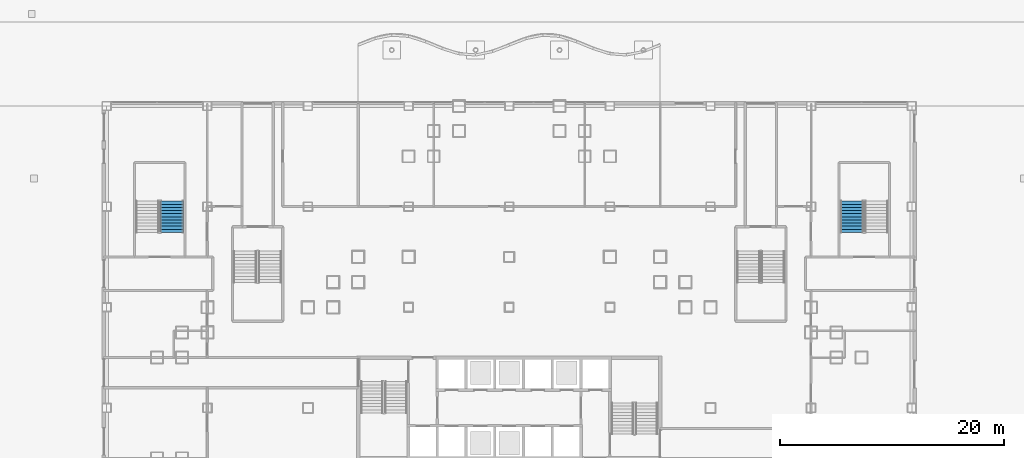
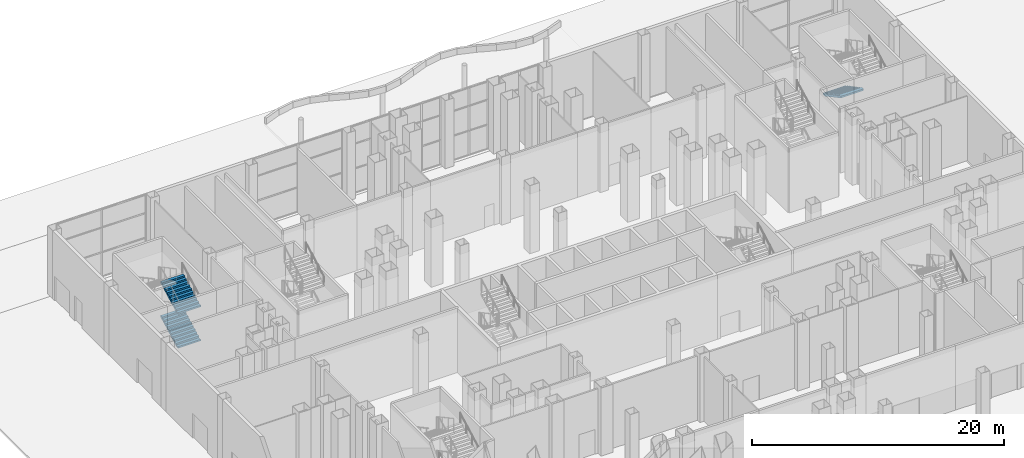
# One storey, part 28 of 38: 3 stair flights, 2 elements without a shape of their own.
"""IFC4 building model written with IfcOpenShell, lengths in metres."""

import ifcopenshell
import ifcopenshell.guid

model = None  # the IFC model being written
_history = None  # IfcOwnerHistory: only IFC2X3 demands one
_inside = {}  # id of a spatial element -> (the spatial element, [elements in it])
_under = {}  # id of a project, library or spatial element -> (it, [spatial elements below it])
_declared = {}  # id of a project -> (the project, [libraries it declares])
_typed = {}  # id of a type object -> (the type object, [elements of that type])
_made_of = {}  # id of a material, layer set ... -> (it, [elements and type objects made of it])


def new_model(schema):
    """Start an empty IFC model of exactly this schema.

    Asked for "IFC4X3", IfcOpenShell would pick the latest addendum, in which some entities
    have other attributes; the version numbers below select the first issue.
    IFC2X3 requires an IfcOwnerHistory on every rooted entity: one is made here for all.
    """
    global model, _history
    if schema == "IFC4X3":
        model = ifcopenshell.file(schema_version=(4, 3, 0, 0))
    else:
        model = ifcopenshell.file(schema=schema)
    _inside.clear()
    _under.clear()
    _declared.clear()
    _typed.clear()
    _made_of.clear()
    _history = None
    if model.schema == "IFC2X3":
        org = make("IfcOrganization", Name="unknown")
        user = make(
            "IfcPersonAndOrganization",
            ThePerson=make("IfcPerson", FamilyName="unknown"),
            TheOrganization=org,
        )
        app = make(
            "IfcApplication",
            ApplicationDeveloper=org,
            Version="unknown",
            ApplicationFullName="unknown",
            ApplicationIdentifier="unknown",
        )
        _history = make(
            "IfcOwnerHistory",
            OwningUser=user,
            OwningApplication=app,
            ChangeAction="ADDED",
            CreationDate=0,
        )
    return model


def make(cls, **values):
    """One entity of the class cls with the attributes given. An attribute that is None is left unset."""
    return model.create_entity(
        cls, **{name: value for name, value in values.items() if value is not None}
    )


def rooted(cls, **values):
    """An entity with a GlobalId (a new one), such as an element, a storey or a relation."""
    return make(cls, GlobalId=ifcopenshell.guid.new(), OwnerHistory=_history, **values)


def si_unit(unit_type, name, prefix=None):
    """IfcSIUnit, for example si_unit("LENGTHUNIT", "METRE", prefix="MILLI")."""
    return make("IfcSIUnit", UnitType=unit_type, Prefix=prefix, Name=name)


def assignment(units):
    """IfcUnitAssignment: the units of a project."""
    return None if units is None else make("IfcUnitAssignment", Units=units)


def point(xyz):
    """IfcCartesianPoint."""
    return None if xyz is None else make("IfcCartesianPoint", Coordinates=xyz)


def direction(xyz):
    """IfcDirection."""
    return None if xyz is None else make("IfcDirection", DirectionRatios=xyz)


def frame(location, z_axis=None, x_axis=None):
    """IfcAxis2Placement3D, a coordinate frame: its origin and axes. An axis left out is left unset."""
    return make(
        "IfcAxis2Placement3D",
        Location=point(location),
        Axis=direction(z_axis),
        RefDirection=direction(x_axis),
    )


def origin():
    """The frame at (0, 0, 0) with its axes left unset."""
    return frame((0.0, 0.0, 0.0))


def place(relative_to, where):
    """IfcLocalPlacement: puts the frame where relative to a parent placement (None: the world)."""
    return make(
        "IfcLocalPlacement", PlacementRelTo=relative_to, RelativePlacement=where
    )


def context(
    kind, dimensions, precision=None, world=None, true_north=None, identifier=None
):
    """IfcGeometricRepresentationContext, for example the 3D "Model" context."""
    return make(
        "IfcGeometricRepresentationContext",
        ContextIdentifier=identifier,
        ContextType=kind,
        CoordinateSpaceDimension=dimensions,
        Precision=precision,
        WorldCoordinateSystem=world,
        TrueNorth=true_north,
    )


def subcontext(parent, identifier, kind, view, scale=None):
    """IfcGeometricRepresentationSubContext, for example "Body" below "Model"."""
    return make(
        "IfcGeometricRepresentationSubContext",
        ContextIdentifier=identifier,
        ContextType=kind,
        ParentContext=parent,
        TargetScale=scale,
        TargetView=view,
    )


def project(units=None, contexts=None):
    """IfcProject with its units and contexts."""
    return rooted(
        "IfcProject",
        Name="project",
        RepresentationContexts=contexts,
        UnitsInContext=assignment(units),
    )


def spatial(cls, under=None, at=None, **own):
    """A site, building, storey or space (cls), placed at a placement, below another one or the project."""
    s = rooted(cls, ObjectPlacement=at, **own)
    if under is not None:
        _under.setdefault(under.id(), (under, []))[1].append(s)
    return s


def point_list(points):
    """IfcCartesianPointList2D or 3D."""
    cls = (
        "IfcCartesianPointList2D" if len(points[0]) == 2 else "IfcCartesianPointList3D"
    )
    return make(cls, CoordList=points)


def polygons(points, faces, closed=None, point_numbers=None):
    """IfcPolygonalFaceSet: a face is its outer loop, then its inner loops; points numbered from 1."""
    made = []
    for loops in faces:
        if len(loops) == 1:
            made.append(make("IfcIndexedPolygonalFace", CoordIndex=loops[0]))
        else:
            made.append(
                make(
                    "IfcIndexedPolygonalFaceWithVoids",
                    CoordIndex=loops[0],
                    InnerCoordIndices=loops[1:],
                )
            )
    return make(
        "IfcPolygonalFaceSet",
        Coordinates=point_list(points),
        Closed=closed,
        Faces=made,
        PnIndex=point_numbers,
    )


def shape(context_of_items, identifier, shape_type, items):
    """IfcShapeRepresentation: the items that make up one representation, for example the "Body"."""
    return make(
        "IfcShapeRepresentation",
        ContextOfItems=context_of_items,
        RepresentationIdentifier=identifier,
        RepresentationType=shape_type,
        Items=items,
    )


def material(Name=None, Category=None):
    """IfcMaterial."""
    return make("IfcMaterial", Name=Name, Category=Category)


def made_of(thing, what):
    """Note that an element or type object is made of a material, layer set ...; save() writes the relation."""
    if what is not None:
        _made_of.setdefault(what.id(), (what, []))[1].append(thing)
    return thing


def type_object(cls, material=None, **own):
    """A type object (cls), such as IfcWallType, which elements share."""
    return made_of(rooted(cls, **own), material)


def element(
    cls,
    number,
    at=None,
    inside=None,
    cuts=None,
    type_object=None,
    material=None,
    context=None,
    identifier="Body",
    shape_type=None,
    held_by="IfcProductDefinitionShape",
    body=None,
    shapes=None,
    **own,
):
    """One element of the class cls, such as IfcWall. Its Tag is "e" and its number.

    at: its placement. inside: the storey or other place that contains it. cuts: it is an
    opening in that element (IfcRelVoidsElement). A single representation is given by context,
    identifier, shape_type and body (its items); several are given by shapes. held_by: the class
    of the entity that holds the representations. save() writes the other relations.
    """
    e = rooted(cls, Tag="e%d" % number, ObjectPlacement=at, **own)
    if body is not None:
        shapes = [shape(context, identifier, shape_type, body)]
    if shapes is not None:
        e.Representation = make(held_by, Representations=shapes)
    if inside is not None:
        _inside.setdefault(inside.id(), (inside, []))[1].append(e)
    if cuts is not None:
        rooted(
            "IfcRelVoidsElement", RelatingBuildingElement=cuts, RelatedOpeningElement=e
        )
    if type_object is not None:
        _typed.setdefault(type_object.id(), (type_object, []))[1].append(e)
    return made_of(e, material)


def aggregate(whole, parts):
    """IfcRelAggregates: a whole, such as a stair, and the parts it consists of."""
    return rooted("IfcRelAggregates", RelatingObject=whole, RelatedObjects=parts)


def save(model, path):
    """Write the relations noted so far, then the file.

    IfcRelAggregates (storeys below a building ...), IfcRelContainedInSpatialStructure (elements
    in a storey), IfcRelDefinesByType, IfcRelAssociatesMaterial and IfcRelDeclares: one each for
    every whole, place, type object, material and project.
    """
    for whole, parts in _under.values():
        aggregate(whole, parts)
    for where, things in _inside.values():
        rooted(
            "IfcRelContainedInSpatialStructure",
            RelatedElements=things,
            RelatingStructure=where,
        )
    for kind, things in _typed.values():
        rooted("IfcRelDefinesByType", RelatedObjects=things, RelatingType=kind)
    for what, things in _made_of.values():
        rooted("IfcRelAssociatesMaterial", RelatedObjects=things, RelatingMaterial=what)
    for by, libraries in _declared.values():
        rooted("IfcRelDeclares", RelatingContext=by, RelatedDefinitions=libraries)
    model.write(path)


model = new_model("IFC4")

# Units and contexts
model_context = context("Model", 3, precision=1e-05, world=origin(), true_north=direction((0.0, 1.0)))
body_context = subcontext(model_context, "Body", "Model", "MODEL_VIEW")
ifc_project = project(units=[si_unit("LENGTHUNIT", "METRE"), si_unit("AREAUNIT", "SQUARE_METRE"), si_unit("VOLUMEUNIT", "CUBIC_METRE"), si_unit("PLANEANGLEUNIT", "RADIAN"), si_unit("MASSUNIT", "GRAM", prefix="KILO")], contexts=[model_context])

# Site, building, storey
site_placement = place(None, origin())
site = spatial("IfcSite", under=ifc_project, at=site_placement, CompositionType="ELEMENT")
building_placement = place(site_placement, origin())
building = spatial("IfcBuilding", under=site, at=building_placement, Name="Caravel Reach Hotel and Residences", CompositionType="ELEMENT")
storey_placement = place(building_placement, origin())
storey = spatial("IfcBuildingStorey", under=building, at=storey_placement, Name="L00", CompositionType="ELEMENT", Elevation=0.0)

# Stair, stair flights
ifc_material_1 = material(Name="Concrete C40", Category="concrete")
stair_type = type_object("IfcStairType", Name="Core stair", PredefinedType="HALF_TURN_STAIR", material=ifc_material_1)
stair_1_placement = place(storey_placement, origin())
stair_1 = element("IfcStair", 1, at=stair_1_placement, inside=storey, type_object=stair_type, Name="L00 Exit stair P5", PredefinedType="HALF_TURN_STAIR")
ifc_material_2 = material(Name="Concrete C40", Category="concrete")
stair_flight_type = type_object("IfcStairFlightType", Name="Core stair flight", PredefinedType="STRAIGHT", material=ifc_material_2)
stair_flight_1_placement = place(storey_placement, frame((1.360107421875, 42.68994140625, 0.0), z_axis=(0.0, 0.0, 1.0), x_axis=(0.0, 1.0, 0.0)))
stair_flight_1 = element("IfcStairFlight", 2, at=stair_flight_1_placement, type_object=stair_flight_type, Name="ST-P5 flight 1", NumberOfRisers=11, NumberOfTreads=10, PredefinedType="STRAIGHT", RiserHeight=0.15, TreadLength=0.28, context=body_context, shape_type="Tessellation", body=[
    polygons([(0.3174408016601862, 1.0350341796875, 0.0), (0.3174408016601862, 0.6900227864583333, 0.0), (0.3174408016601862, 0.34501139322916663, 0.0), (0.3174408016601862, 0.0, 0.0), (0.3174408016601862, -0.34501139322916674, 0.0), (0.3174408016601862, -0.6900227864583333, 0.0), (0.3174408016601862, -1.0350341796875, 0.0), (2.801, 1.0350341796875, 1.329942427682043), (2.801, 0.6900227864583333, 1.329942427682043), (2.801, 0.34501139322916663, 1.329942427682043), (2.801, 0.0, 1.329942427682043), (2.801, -0.34501139322916674, 1.329942427682043), (2.801, -0.6900227864583333, 1.329942427682043), (2.801, -1.0350341796875, 1.329942427682043), (2.801, 1.0350341796875, 1.5), (2.801, 0.6900227864583333, 1.5), (2.801, 0.34501139322916663, 1.5), (2.801, 0.0, 1.5), (2.801, -0.34501139322916674, 1.5), (2.801, -0.6900227864583333, 1.5), (2.801, -1.0350341796875, 1.5), (2.5200000000000005, 1.0350341796875, 1.5), (2.5200000000000005, 0.6900227864583333, 1.5), (2.5200000000000005, 0.34501139322916663, 1.5), (2.5200000000000005, 0.0, 1.5), (2.5200000000000005, -0.34501139322916674, 1.5), (2.5200000000000005, -0.6900227864583333, 1.5), (2.5200000000000005, -1.0350341796875, 1.5), (2.5200000000000005, 1.0350341796875, 1.3499999999999999), (2.5200000000000005, 0.6900227864583333, 1.3499999999999999), (2.5200000000000005, 0.34501139322916663, 1.3499999999999999), (2.5200000000000005, 0.0, 1.3499999999999999), (2.5200000000000005, -0.34501139322916674, 1.3499999999999999), (2.5200000000000005, -0.6900227864583333, 1.3499999999999999), (2.5200000000000005, -1.0350341796875, 1.3499999999999999), (2.24, 1.0350341796875, 1.3499999999999999), (2.24, 0.6900227864583333, 1.3499999999999999), (2.24, 0.34501139322916663, 1.3499999999999999), (2.24, 0.0, 1.3499999999999999), (2.24, -0.34501139322916674, 1.3499999999999999), (2.24, -0.6900227864583333, 1.3499999999999999), (2.24, -1.0350341796875, 1.3499999999999999), (2.24, 1.0350341796875, 1.2), (2.24, 0.6900227864583333, 1.2), (2.24, 0.34501139322916663, 1.2), (2.24, 0.0, 1.2), (2.24, -0.34501139322916674, 1.2), (2.24, -0.6900227864583333, 1.2), (2.24, -1.0350341796875, 1.2), (1.9600000000000002, 1.0350341796875, 1.2), (1.9600000000000002, 0.6900227864583333, 1.2), (1.9600000000000002, 0.34501139322916663, 1.2), (1.9600000000000002, 0.0, 1.2), (1.9600000000000002, -0.34501139322916674, 1.2), (1.9600000000000002, -0.6900227864583333, 1.2), (1.9600000000000002, -1.0350341796875, 1.2), (1.9600000000000002, 1.0350341796875, 1.05), (1.9600000000000002, 0.6900227864583333, 1.05), (1.9600000000000002, 0.34501139322916663, 1.05), (1.9600000000000002, 0.0, 1.05), (1.9600000000000002, -0.34501139322916674, 1.05), (1.9600000000000002, -0.6900227864583333, 1.05), (1.9600000000000002, -1.0350341796875, 1.05), (1.6800000000000002, 1.0350341796875, 1.05), (1.6800000000000002, 0.6900227864583333, 1.05), (1.6800000000000002, 0.34501139322916663, 1.05), (1.6800000000000002, 0.0, 1.05), (1.6800000000000002, -0.34501139322916674, 1.05), (1.6800000000000002, -0.6900227864583333, 1.05), (1.6800000000000002, -1.0350341796875, 1.05), (1.6800000000000002, 1.0350341796875, 0.8999999999999999), (1.6800000000000002, 0.6900227864583333, 0.8999999999999999), (1.6800000000000002, 0.34501139322916663, 0.8999999999999999), (1.6800000000000002, 0.0, 0.8999999999999999), (1.6800000000000002, -0.34501139322916674, 0.8999999999999999), (1.6800000000000002, -0.6900227864583333, 0.8999999999999999), (1.6800000000000002, -1.0350341796875, 0.8999999999999999), (1.4000000000000001, 1.0350341796875, 0.8999999999999999), (1.4000000000000001, 0.6900227864583333, 0.8999999999999999), (1.4000000000000001, 0.34501139322916663, 0.8999999999999999), (1.4000000000000001, 0.0, 0.8999999999999999), (1.4000000000000001, -0.34501139322916674, 0.8999999999999999), (1.4000000000000001, -0.6900227864583333, 0.8999999999999999), (1.4000000000000001, -1.0350341796875, 0.8999999999999999), (1.4000000000000001, 1.0350341796875, 0.75), (1.4000000000000001, 0.6900227864583333, 0.75), (1.4000000000000001, 0.34501139322916663, 0.75), (1.4000000000000001, 0.0, 0.75), (1.4000000000000001, -0.34501139322916674, 0.75), (1.4000000000000001, -0.6900227864583333, 0.75), (1.4000000000000001, -1.0350341796875, 0.75), (1.12, 1.0350341796875, 0.75), (1.12, 0.6900227864583333, 0.75), (1.12, 0.34501139322916663, 0.75), (1.12, 0.0, 0.75), (1.12, -0.34501139322916674, 0.75), (1.12, -0.6900227864583333, 0.75), (1.12, -1.0350341796875, 0.75), (1.12, 1.0350341796875, 0.6), (1.12, 0.6900227864583333, 0.6), (1.12, 0.34501139322916663, 0.6), (1.12, 0.0, 0.6), (1.12, -0.34501139322916674, 0.6), (1.12, -0.6900227864583333, 0.6), (1.12, -1.0350341796875, 0.6), (0.8400000000000001, 1.0350341796875, 0.6), (0.8400000000000001, 0.6900227864583333, 0.6), (0.8400000000000001, 0.34501139322916663, 0.6), (0.8400000000000001, 0.0, 0.6), (0.8400000000000001, -0.34501139322916674, 0.6), (0.8400000000000001, -0.6900227864583333, 0.6), (0.8400000000000001, -1.0350341796875, 0.6), (0.8400000000000001, 1.0350341796875, 0.44999999999999996), (0.8400000000000001, 0.6900227864583333, 0.44999999999999996), (0.8400000000000001, 0.34501139322916663, 0.44999999999999996), (0.8400000000000001, 0.0, 0.44999999999999996), (0.8400000000000001, -0.34501139322916674, 0.44999999999999996), (0.8400000000000001, -0.6900227864583333, 0.44999999999999996), (0.8400000000000001, -1.0350341796875, 0.44999999999999996), (0.56, 1.0350341796875, 0.44999999999999996), (0.56, 0.6900227864583333, 0.44999999999999996), (0.56, 0.34501139322916663, 0.44999999999999996), (0.56, 0.0, 0.44999999999999996), (0.56, -0.34501139322916674, 0.44999999999999996), (0.56, -0.6900227864583333, 0.44999999999999996), (0.56, -1.0350341796875, 0.44999999999999996), (0.56, 1.0350341796875, 0.3), (0.56, 0.6900227864583333, 0.3), (0.56, 0.34501139322916663, 0.3), (0.56, 0.0, 0.3), (0.56, -0.34501139322916674, 0.3), (0.56, -0.6900227864583333, 0.3), (0.56, -1.0350341796875, 0.3), (0.28, 1.0350341796875, 0.3), (0.28, 0.6900227864583333, 0.3), (0.28, 0.34501139322916663, 0.3), (0.28, 0.0, 0.3), (0.28, -0.34501139322916674, 0.3), (0.28, -0.6900227864583333, 0.3), (0.28, -1.0350341796875, 0.3), (0.28, 1.0350341796875, 0.15), (0.28, 0.6900227864583333, 0.15), (0.28, 0.34501139322916663, 0.15), (0.28, 0.0, 0.15), (0.28, -0.34501139322916674, 0.15), (0.28, -0.6900227864583333, 0.15), (0.28, -1.0350341796875, 0.15), (-0.001, 1.0350341796875, 0.15), (-0.001, 0.6900227864583333, 0.15), (-0.001, 0.34501139322916663, 0.15), (-0.001, 0.0, 0.15), (-0.001, -0.34501139322916674, 0.15), (-0.001, -0.6900227864583333, 0.15), (-0.001, -1.0350341796875, 0.15), (-0.001, 1.0350341796875, 0.0), (-0.001, 0.6900227864583333, 0.0), (-0.001, 0.34501139322916663, 0.0), (-0.001, 0.0, 0.0), (-0.001, -0.34501139322916674, 0.0), (-0.001, -0.6900227864583333, 0.0), (-0.001, -1.0350341796875, 0.0)], [[[155, 148, 141, 134, 127, 120, 113, 106, 99, 92, 85, 78, 71, 64, 57, 50, 43, 36, 29, 22, 15, 8, 1]], [[7, 14, 21, 28, 35, 42, 49, 56, 63, 70, 77, 84, 91, 98, 105, 112, 119, 126, 133, 140, 147, 154, 161]], [[1, 8, 9, 2]], [[2, 9, 10, 3]], [[3, 10, 11, 4]], [[4, 11, 12, 5]], [[5, 12, 13, 6]], [[6, 13, 14, 7]], [[8, 15, 16, 9]], [[9, 16, 17, 10]], [[10, 17, 18, 11]], [[11, 18, 19, 12]], [[12, 19, 20, 13]], [[13, 20, 21, 14]], [[15, 22, 23, 16]], [[16, 23, 24, 17]], [[17, 24, 25, 18]], [[18, 25, 26, 19]], [[19, 26, 27, 20]], [[20, 27, 28, 21]], [[22, 29, 30, 23]], [[23, 30, 31, 24]], [[24, 31, 32, 25]], [[25, 32, 33, 26]], [[26, 33, 34, 27]], [[27, 34, 35, 28]], [[29, 36, 37, 30]], [[30, 37, 38, 31]], [[31, 38, 39, 32]], [[32, 39, 40, 33]], [[33, 40, 41, 34]], [[34, 41, 42, 35]], [[36, 43, 44, 37]], [[37, 44, 45, 38]], [[38, 45, 46, 39]], [[39, 46, 47, 40]], [[40, 47, 48, 41]], [[41, 48, 49, 42]], [[43, 50, 51, 44]], [[44, 51, 52, 45]], [[45, 52, 53, 46]], [[46, 53, 54, 47]], [[47, 54, 55, 48]], [[48, 55, 56, 49]], [[50, 57, 58, 51]], [[51, 58, 59, 52]], [[52, 59, 60, 53]], [[53, 60, 61, 54]], [[54, 61, 62, 55]], [[55, 62, 63, 56]], [[57, 64, 65, 58]], [[58, 65, 66, 59]], [[59, 66, 67, 60]], [[60, 67, 68, 61]], [[61, 68, 69, 62]], [[62, 69, 70, 63]], [[64, 71, 72, 65]], [[65, 72, 73, 66]], [[66, 73, 74, 67]], [[67, 74, 75, 68]], [[68, 75, 76, 69]], [[69, 76, 77, 70]], [[71, 78, 79, 72]], [[72, 79, 80, 73]], [[73, 80, 81, 74]], [[74, 81, 82, 75]], [[75, 82, 83, 76]], [[76, 83, 84, 77]], [[78, 85, 86, 79]], [[79, 86, 87, 80]], [[80, 87, 88, 81]], [[81, 88, 89, 82]], [[82, 89, 90, 83]], [[83, 90, 91, 84]], [[85, 92, 93, 86]], [[86, 93, 94, 87]], [[87, 94, 95, 88]], [[88, 95, 96, 89]], [[89, 96, 97, 90]], [[90, 97, 98, 91]], [[92, 99, 100, 93]], [[93, 100, 101, 94]], [[94, 101, 102, 95]], [[95, 102, 103, 96]], [[96, 103, 104, 97]], [[97, 104, 105, 98]], [[99, 106, 107, 100]], [[100, 107, 108, 101]], [[101, 108, 109, 102]], [[102, 109, 110, 103]], [[103, 110, 111, 104]], [[104, 111, 112, 105]], [[106, 113, 114, 107]], [[107, 114, 115, 108]], [[108, 115, 116, 109]], [[109, 116, 117, 110]], [[110, 117, 118, 111]], [[111, 118, 119, 112]], [[113, 120, 121, 114]], [[114, 121, 122, 115]], [[115, 122, 123, 116]], [[116, 123, 124, 117]], [[117, 124, 125, 118]], [[118, 125, 126, 119]], [[120, 127, 128, 121]], [[121, 128, 129, 122]], [[122, 129, 130, 123]], [[123, 130, 131, 124]], [[124, 131, 132, 125]], [[125, 132, 133, 126]], [[127, 134, 135, 128]], [[128, 135, 136, 129]], [[129, 136, 137, 130]], [[130, 137, 138, 131]], [[131, 138, 139, 132]], [[132, 139, 140, 133]], [[134, 141, 142, 135]], [[135, 142, 143, 136]], [[136, 143, 144, 137]], [[137, 144, 145, 138]], [[138, 145, 146, 139]], [[139, 146, 147, 140]], [[141, 148, 149, 142]], [[142, 149, 150, 143]], [[143, 150, 151, 144]], [[144, 151, 152, 145]], [[145, 152, 153, 146]], [[146, 153, 154, 147]], [[148, 155, 156, 149]], [[149, 156, 157, 150]], [[150, 157, 158, 151]], [[151, 158, 159, 152]], [[152, 159, 160, 153]], [[153, 160, 161, 154]], [[155, 1, 2, 156]], [[156, 2, 3, 157]], [[157, 3, 4, 158]], [[158, 4, 5, 159]], [[159, 5, 6, 160]], [[160, 6, 7, 161]]], closed=True),
])
stair_flight_2_placement = place(storey_placement, frame((1.360107421875, 42.68994140625, 3.300048828125), z_axis=(0.0, 0.0, 1.0), x_axis=(0.0, 1.0, 0.0)))
stair_flight_2 = element("IfcStairFlight", 3, at=stair_flight_2_placement, type_object=stair_flight_type, Name="ST-P5 flight 3", NumberOfRisers=11, NumberOfTreads=10, PredefinedType="STRAIGHT", RiserHeight=0.15, TreadLength=0.28, context=body_context, shape_type="Tessellation", body=[
    polygons([(0.3174408016601862, 1.0350341796875, 0.0), (0.3174408016601862, 0.6900227864583333, 0.0), (0.3174408016601862, 0.34501139322916663, 0.0), (0.3174408016601862, 0.0, 0.0), (0.3174408016601862, -0.34501139322916674, 0.0), (0.3174408016601862, -0.6900227864583333, 0.0), (0.3174408016601862, -1.0350341796875, 0.0), (2.801, 1.0350341796875, 1.329942427682043), (2.801, 0.6900227864583333, 1.329942427682043), (2.801, 0.34501139322916663, 1.329942427682043), (2.801, 0.0, 1.329942427682043), (2.801, -0.34501139322916674, 1.329942427682043), (2.801, -0.6900227864583333, 1.329942427682043), (2.801, -1.0350341796875, 1.329942427682043), (2.801, 1.0350341796875, 1.5), (2.801, 0.6900227864583333, 1.5), (2.801, 0.34501139322916663, 1.5), (2.801, 0.0, 1.5), (2.801, -0.34501139322916674, 1.5), (2.801, -0.6900227864583333, 1.5), (2.801, -1.0350341796875, 1.5), (2.5200000000000005, 1.0350341796875, 1.5), (2.5200000000000005, 0.6900227864583333, 1.5), (2.5200000000000005, 0.34501139322916663, 1.5), (2.5200000000000005, 0.0, 1.5), (2.5200000000000005, -0.34501139322916674, 1.5), (2.5200000000000005, -0.6900227864583333, 1.5), (2.5200000000000005, -1.0350341796875, 1.5), (2.5200000000000005, 1.0350341796875, 1.3499999999999999), (2.5200000000000005, 0.6900227864583333, 1.3499999999999999), (2.5200000000000005, 0.34501139322916663, 1.3499999999999999), (2.5200000000000005, 0.0, 1.3499999999999999), (2.5200000000000005, -0.34501139322916674, 1.3499999999999999), (2.5200000000000005, -0.6900227864583333, 1.3499999999999999), (2.5200000000000005, -1.0350341796875, 1.3499999999999999), (2.24, 1.0350341796875, 1.3499999999999999), (2.24, 0.6900227864583333, 1.3499999999999999), (2.24, 0.34501139322916663, 1.3499999999999999), (2.24, 0.0, 1.3499999999999999), (2.24, -0.34501139322916674, 1.3499999999999999), (2.24, -0.6900227864583333, 1.3499999999999999), (2.24, -1.0350341796875, 1.3499999999999999), (2.24, 1.0350341796875, 1.2), (2.24, 0.6900227864583333, 1.2), (2.24, 0.34501139322916663, 1.2), (2.24, 0.0, 1.2), (2.24, -0.34501139322916674, 1.2), (2.24, -0.6900227864583333, 1.2), (2.24, -1.0350341796875, 1.2), (1.9600000000000002, 1.0350341796875, 1.2), (1.9600000000000002, 0.6900227864583333, 1.2), (1.9600000000000002, 0.34501139322916663, 1.2), (1.9600000000000002, 0.0, 1.2), (1.9600000000000002, -0.34501139322916674, 1.2), (1.9600000000000002, -0.6900227864583333, 1.2), (1.9600000000000002, -1.0350341796875, 1.2), (1.9600000000000002, 1.0350341796875, 1.05), (1.9600000000000002, 0.6900227864583333, 1.05), (1.9600000000000002, 0.34501139322916663, 1.05), (1.9600000000000002, 0.0, 1.05), (1.9600000000000002, -0.34501139322916674, 1.05), (1.9600000000000002, -0.6900227864583333, 1.05), (1.9600000000000002, -1.0350341796875, 1.05), (1.6800000000000002, 1.0350341796875, 1.05), (1.6800000000000002, 0.6900227864583333, 1.05), (1.6800000000000002, 0.34501139322916663, 1.05), (1.6800000000000002, 0.0, 1.05), (1.6800000000000002, -0.34501139322916674, 1.05), (1.6800000000000002, -0.6900227864583333, 1.05), (1.6800000000000002, -1.0350341796875, 1.05), (1.6800000000000002, 1.0350341796875, 0.8999999999999999), (1.6800000000000002, 0.6900227864583333, 0.8999999999999999), (1.6800000000000002, 0.34501139322916663, 0.8999999999999999), (1.6800000000000002, 0.0, 0.8999999999999999), (1.6800000000000002, -0.34501139322916674, 0.8999999999999999), (1.6800000000000002, -0.6900227864583333, 0.8999999999999999), (1.6800000000000002, -1.0350341796875, 0.8999999999999999), (1.4000000000000001, 1.0350341796875, 0.8999999999999999), (1.4000000000000001, 0.6900227864583333, 0.8999999999999999), (1.4000000000000001, 0.34501139322916663, 0.8999999999999999), (1.4000000000000001, 0.0, 0.8999999999999999), (1.4000000000000001, -0.34501139322916674, 0.8999999999999999), (1.4000000000000001, -0.6900227864583333, 0.8999999999999999), (1.4000000000000001, -1.0350341796875, 0.8999999999999999), (1.4000000000000001, 1.0350341796875, 0.75), (1.4000000000000001, 0.6900227864583333, 0.75), (1.4000000000000001, 0.34501139322916663, 0.75), (1.4000000000000001, 0.0, 0.75), (1.4000000000000001, -0.34501139322916674, 0.75), (1.4000000000000001, -0.6900227864583333, 0.75), (1.4000000000000001, -1.0350341796875, 0.75), (1.12, 1.0350341796875, 0.75), (1.12, 0.6900227864583333, 0.75), (1.12, 0.34501139322916663, 0.75), (1.12, 0.0, 0.75), (1.12, -0.34501139322916674, 0.75), (1.12, -0.6900227864583333, 0.75), (1.12, -1.0350341796875, 0.75), (1.12, 1.0350341796875, 0.6), (1.12, 0.6900227864583333, 0.6), (1.12, 0.34501139322916663, 0.6), (1.12, 0.0, 0.6), (1.12, -0.34501139322916674, 0.6), (1.12, -0.6900227864583333, 0.6), (1.12, -1.0350341796875, 0.6), (0.8400000000000001, 1.0350341796875, 0.6), (0.8400000000000001, 0.6900227864583333, 0.6), (0.8400000000000001, 0.34501139322916663, 0.6), (0.8400000000000001, 0.0, 0.6), (0.8400000000000001, -0.34501139322916674, 0.6), (0.8400000000000001, -0.6900227864583333, 0.6), (0.8400000000000001, -1.0350341796875, 0.6), (0.8400000000000001, 1.0350341796875, 0.44999999999999996), (0.8400000000000001, 0.6900227864583333, 0.44999999999999996), (0.8400000000000001, 0.34501139322916663, 0.44999999999999996), (0.8400000000000001, 0.0, 0.44999999999999996), (0.8400000000000001, -0.34501139322916674, 0.44999999999999996), (0.8400000000000001, -0.6900227864583333, 0.44999999999999996), (0.8400000000000001, -1.0350341796875, 0.44999999999999996), (0.56, 1.0350341796875, 0.44999999999999996), (0.56, 0.6900227864583333, 0.44999999999999996), (0.56, 0.34501139322916663, 0.44999999999999996), (0.56, 0.0, 0.44999999999999996), (0.56, -0.34501139322916674, 0.44999999999999996), (0.56, -0.6900227864583333, 0.44999999999999996), (0.56, -1.0350341796875, 0.44999999999999996), (0.56, 1.0350341796875, 0.3), (0.56, 0.6900227864583333, 0.3), (0.56, 0.34501139322916663, 0.3), (0.56, 0.0, 0.3), (0.56, -0.34501139322916674, 0.3), (0.56, -0.6900227864583333, 0.3), (0.56, -1.0350341796875, 0.3), (0.28, 1.0350341796875, 0.3), (0.28, 0.6900227864583333, 0.3), (0.28, 0.34501139322916663, 0.3), (0.28, 0.0, 0.3), (0.28, -0.34501139322916674, 0.3), (0.28, -0.6900227864583333, 0.3), (0.28, -1.0350341796875, 0.3), (0.28, 1.0350341796875, 0.15), (0.28, 0.6900227864583333, 0.15), (0.28, 0.34501139322916663, 0.15), (0.28, 0.0, 0.15), (0.28, -0.34501139322916674, 0.15), (0.28, -0.6900227864583333, 0.15), (0.28, -1.0350341796875, 0.15), (-0.001, 1.0350341796875, 0.15), (-0.001, 0.6900227864583333, 0.15), (-0.001, 0.34501139322916663, 0.15), (-0.001, 0.0, 0.15), (-0.001, -0.34501139322916674, 0.15), (-0.001, -0.6900227864583333, 0.15), (-0.001, -1.0350341796875, 0.15), (-0.001, 1.0350341796875, 0.0), (-0.001, 0.6900227864583333, 0.0), (-0.001, 0.34501139322916663, 0.0), (-0.001, 0.0, 0.0), (-0.001, -0.34501139322916674, 0.0), (-0.001, -0.6900227864583333, 0.0), (-0.001, -1.0350341796875, 0.0)], [[[155, 148, 141, 134, 127, 120, 113, 106, 99, 92, 85, 78, 71, 64, 57, 50, 43, 36, 29, 22, 15, 8, 1]], [[7, 14, 21, 28, 35, 42, 49, 56, 63, 70, 77, 84, 91, 98, 105, 112, 119, 126, 133, 140, 147, 154, 161]], [[1, 8, 9, 2]], [[2, 9, 10, 3]], [[3, 10, 11, 4]], [[4, 11, 12, 5]], [[5, 12, 13, 6]], [[6, 13, 14, 7]], [[8, 15, 16, 9]], [[9, 16, 17, 10]], [[10, 17, 18, 11]], [[11, 18, 19, 12]], [[12, 19, 20, 13]], [[13, 20, 21, 14]], [[15, 22, 23, 16]], [[16, 23, 24, 17]], [[17, 24, 25, 18]], [[18, 25, 26, 19]], [[19, 26, 27, 20]], [[20, 27, 28, 21]], [[22, 29, 30, 23]], [[23, 30, 31, 24]], [[24, 31, 32, 25]], [[25, 32, 33, 26]], [[26, 33, 34, 27]], [[27, 34, 35, 28]], [[29, 36, 37, 30]], [[30, 37, 38, 31]], [[31, 38, 39, 32]], [[32, 39, 40, 33]], [[33, 40, 41, 34]], [[34, 41, 42, 35]], [[36, 43, 44, 37]], [[37, 44, 45, 38]], [[38, 45, 46, 39]], [[39, 46, 47, 40]], [[40, 47, 48, 41]], [[41, 48, 49, 42]], [[43, 50, 51, 44]], [[44, 51, 52, 45]], [[45, 52, 53, 46]], [[46, 53, 54, 47]], [[47, 54, 55, 48]], [[48, 55, 56, 49]], [[50, 57, 58, 51]], [[51, 58, 59, 52]], [[52, 59, 60, 53]], [[53, 60, 61, 54]], [[54, 61, 62, 55]], [[55, 62, 63, 56]], [[57, 64, 65, 58]], [[58, 65, 66, 59]], [[59, 66, 67, 60]], [[60, 67, 68, 61]], [[61, 68, 69, 62]], [[62, 69, 70, 63]], [[64, 71, 72, 65]], [[65, 72, 73, 66]], [[66, 73, 74, 67]], [[67, 74, 75, 68]], [[68, 75, 76, 69]], [[69, 76, 77, 70]], [[71, 78, 79, 72]], [[72, 79, 80, 73]], [[73, 80, 81, 74]], [[74, 81, 82, 75]], [[75, 82, 83, 76]], [[76, 83, 84, 77]], [[78, 85, 86, 79]], [[79, 86, 87, 80]], [[80, 87, 88, 81]], [[81, 88, 89, 82]], [[82, 89, 90, 83]], [[83, 90, 91, 84]], [[85, 92, 93, 86]], [[86, 93, 94, 87]], [[87, 94, 95, 88]], [[88, 95, 96, 89]], [[89, 96, 97, 90]], [[90, 97, 98, 91]], [[92, 99, 100, 93]], [[93, 100, 101, 94]], [[94, 101, 102, 95]], [[95, 102, 103, 96]], [[96, 103, 104, 97]], [[97, 104, 105, 98]], [[99, 106, 107, 100]], [[100, 107, 108, 101]], [[101, 108, 109, 102]], [[102, 109, 110, 103]], [[103, 110, 111, 104]], [[104, 111, 112, 105]], [[106, 113, 114, 107]], [[107, 114, 115, 108]], [[108, 115, 116, 109]], [[109, 116, 117, 110]], [[110, 117, 118, 111]], [[111, 118, 119, 112]], [[113, 120, 121, 114]], [[114, 121, 122, 115]], [[115, 122, 123, 116]], [[116, 123, 124, 117]], [[117, 124, 125, 118]], [[118, 125, 126, 119]], [[120, 127, 128, 121]], [[121, 128, 129, 122]], [[122, 129, 130, 123]], [[123, 130, 131, 124]], [[124, 131, 132, 125]], [[125, 132, 133, 126]], [[127, 134, 135, 128]], [[128, 135, 136, 129]], [[129, 136, 137, 130]], [[130, 137, 138, 131]], [[131, 138, 139, 132]], [[132, 139, 140, 133]], [[134, 141, 142, 135]], [[135, 142, 143, 136]], [[136, 143, 144, 137]], [[137, 144, 145, 138]], [[138, 145, 146, 139]], [[139, 146, 147, 140]], [[141, 148, 149, 142]], [[142, 149, 150, 143]], [[143, 150, 151, 144]], [[144, 151, 152, 145]], [[145, 152, 153, 146]], [[146, 153, 154, 147]], [[148, 155, 156, 149]], [[149, 156, 157, 150]], [[150, 157, 158, 151]], [[151, 158, 159, 152]], [[152, 159, 160, 153]], [[153, 160, 161, 154]], [[155, 1, 2, 156]], [[156, 2, 3, 157]], [[157, 3, 4, 158]], [[158, 4, 5, 159]], [[159, 5, 6, 160]], [[160, 6, 7, 161]]], closed=True),
])
aggregate(stair_1, [stair_flight_1, stair_flight_2])

# Stair, stair flight
stair_2_placement = place(storey_placement, origin())
stair_2 = element("IfcStair", 4, at=stair_2_placement, inside=storey, type_object=stair_type, Name="L00 Exit stair P6", PredefinedType="HALF_TURN_STAIR")
stair_flight_3_placement = place(storey_placement, frame((62.139892578125, 45.489990234375, 1.64990234375), z_axis=(0.0, 0.0, 1.0), x_axis=(0.0, -1.0, 0.0)))
stair_flight_3 = element("IfcStairFlight", 5, at=stair_flight_3_placement, type_object=stair_flight_type, Name="ST-P6 flight 2", NumberOfRisers=11, NumberOfTreads=10, PredefinedType="STRAIGHT", RiserHeight=0.15, TreadLength=0.28, context=body_context, shape_type="Tessellation", body=[
    polygons([(0.3174408016601862, 1.0350341796875, 0.0), (0.3174408016601862, 0.6900227864583333, 0.0), (0.3174408016601862, 0.34501139322916663, 0.0), (0.3174408016601862, 0.0, 0.0), (0.3174408016601862, -0.34501139322916674, 0.0), (0.3174408016601862, -0.6900227864583333, 0.0), (0.3174408016601862, -1.0350341796875, 0.0), (2.801, 1.0350341796875, 1.329942427682043), (2.801, 0.6900227864583333, 1.329942427682043), (2.801, 0.34501139322916663, 1.329942427682043), (2.801, 0.0, 1.329942427682043), (2.801, -0.34501139322916674, 1.329942427682043), (2.801, -0.6900227864583333, 1.329942427682043), (2.801, -1.0350341796875, 1.329942427682043), (2.801, 1.0350341796875, 1.5), (2.801, 0.6900227864583333, 1.5), (2.801, 0.34501139322916663, 1.5), (2.801, 0.0, 1.5), (2.801, -0.34501139322916674, 1.5), (2.801, -0.6900227864583333, 1.5), (2.801, -1.0350341796875, 1.5), (2.5200000000000005, 1.0350341796875, 1.5), (2.5200000000000005, 0.6900227864583333, 1.5), (2.5200000000000005, 0.34501139322916663, 1.5), (2.5200000000000005, 0.0, 1.5), (2.5200000000000005, -0.34501139322916674, 1.5), (2.5200000000000005, -0.6900227864583333, 1.5), (2.5200000000000005, -1.0350341796875, 1.5), (2.5200000000000005, 1.0350341796875, 1.3499999999999999), (2.5200000000000005, 0.6900227864583333, 1.3499999999999999), (2.5200000000000005, 0.34501139322916663, 1.3499999999999999), (2.5200000000000005, 0.0, 1.3499999999999999), (2.5200000000000005, -0.34501139322916674, 1.3499999999999999), (2.5200000000000005, -0.6900227864583333, 1.3499999999999999), (2.5200000000000005, -1.0350341796875, 1.3499999999999999), (2.24, 1.0350341796875, 1.3499999999999999), (2.24, 0.6900227864583333, 1.3499999999999999), (2.24, 0.34501139322916663, 1.3499999999999999), (2.24, 0.0, 1.3499999999999999), (2.24, -0.34501139322916674, 1.3499999999999999), (2.24, -0.6900227864583333, 1.3499999999999999), (2.24, -1.0350341796875, 1.3499999999999999), (2.24, 1.0350341796875, 1.2), (2.24, 0.6900227864583333, 1.2), (2.24, 0.34501139322916663, 1.2), (2.24, 0.0, 1.2), (2.24, -0.34501139322916674, 1.2), (2.24, -0.6900227864583333, 1.2), (2.24, -1.0350341796875, 1.2), (1.9600000000000002, 1.0350341796875, 1.2), (1.9600000000000002, 0.6900227864583333, 1.2), (1.9600000000000002, 0.34501139322916663, 1.2), (1.9600000000000002, 0.0, 1.2), (1.9600000000000002, -0.34501139322916674, 1.2), (1.9600000000000002, -0.6900227864583333, 1.2), (1.9600000000000002, -1.0350341796875, 1.2), (1.9600000000000002, 1.0350341796875, 1.05), (1.9600000000000002, 0.6900227864583333, 1.05), (1.9600000000000002, 0.34501139322916663, 1.05), (1.9600000000000002, 0.0, 1.05), (1.9600000000000002, -0.34501139322916674, 1.05), (1.9600000000000002, -0.6900227864583333, 1.05), (1.9600000000000002, -1.0350341796875, 1.05), (1.6800000000000002, 1.0350341796875, 1.05), (1.6800000000000002, 0.6900227864583333, 1.05), (1.6800000000000002, 0.34501139322916663, 1.05), (1.6800000000000002, 0.0, 1.05), (1.6800000000000002, -0.34501139322916674, 1.05), (1.6800000000000002, -0.6900227864583333, 1.05), (1.6800000000000002, -1.0350341796875, 1.05), (1.6800000000000002, 1.0350341796875, 0.8999999999999999), (1.6800000000000002, 0.6900227864583333, 0.8999999999999999), (1.6800000000000002, 0.34501139322916663, 0.8999999999999999), (1.6800000000000002, 0.0, 0.8999999999999999), (1.6800000000000002, -0.34501139322916674, 0.8999999999999999), (1.6800000000000002, -0.6900227864583333, 0.8999999999999999), (1.6800000000000002, -1.0350341796875, 0.8999999999999999), (1.4000000000000001, 1.0350341796875, 0.8999999999999999), (1.4000000000000001, 0.6900227864583333, 0.8999999999999999), (1.4000000000000001, 0.34501139322916663, 0.8999999999999999), (1.4000000000000001, 0.0, 0.8999999999999999), (1.4000000000000001, -0.34501139322916674, 0.8999999999999999), (1.4000000000000001, -0.6900227864583333, 0.8999999999999999), (1.4000000000000001, -1.0350341796875, 0.8999999999999999), (1.4000000000000001, 1.0350341796875, 0.75), (1.4000000000000001, 0.6900227864583333, 0.75), (1.4000000000000001, 0.34501139322916663, 0.75), (1.4000000000000001, 0.0, 0.75), (1.4000000000000001, -0.34501139322916674, 0.75), (1.4000000000000001, -0.6900227864583333, 0.75), (1.4000000000000001, -1.0350341796875, 0.75), (1.12, 1.0350341796875, 0.75), (1.12, 0.6900227864583333, 0.75), (1.12, 0.34501139322916663, 0.75), (1.12, 0.0, 0.75), (1.12, -0.34501139322916674, 0.75), (1.12, -0.6900227864583333, 0.75), (1.12, -1.0350341796875, 0.75), (1.12, 1.0350341796875, 0.6), (1.12, 0.6900227864583333, 0.6), (1.12, 0.34501139322916663, 0.6), (1.12, 0.0, 0.6), (1.12, -0.34501139322916674, 0.6), (1.12, -0.6900227864583333, 0.6), (1.12, -1.0350341796875, 0.6), (0.8400000000000001, 1.0350341796875, 0.6), (0.8400000000000001, 0.6900227864583333, 0.6), (0.8400000000000001, 0.34501139322916663, 0.6), (0.8400000000000001, 0.0, 0.6), (0.8400000000000001, -0.34501139322916674, 0.6), (0.8400000000000001, -0.6900227864583333, 0.6), (0.8400000000000001, -1.0350341796875, 0.6), (0.8400000000000001, 1.0350341796875, 0.44999999999999996), (0.8400000000000001, 0.6900227864583333, 0.44999999999999996), (0.8400000000000001, 0.34501139322916663, 0.44999999999999996), (0.8400000000000001, 0.0, 0.44999999999999996), (0.8400000000000001, -0.34501139322916674, 0.44999999999999996), (0.8400000000000001, -0.6900227864583333, 0.44999999999999996), (0.8400000000000001, -1.0350341796875, 0.44999999999999996), (0.56, 1.0350341796875, 0.44999999999999996), (0.56, 0.6900227864583333, 0.44999999999999996), (0.56, 0.34501139322916663, 0.44999999999999996), (0.56, 0.0, 0.44999999999999996), (0.56, -0.34501139322916674, 0.44999999999999996), (0.56, -0.6900227864583333, 0.44999999999999996), (0.56, -1.0350341796875, 0.44999999999999996), (0.56, 1.0350341796875, 0.3), (0.56, 0.6900227864583333, 0.3), (0.56, 0.34501139322916663, 0.3), (0.56, 0.0, 0.3), (0.56, -0.34501139322916674, 0.3), (0.56, -0.6900227864583333, 0.3), (0.56, -1.0350341796875, 0.3), (0.28, 1.0350341796875, 0.3), (0.28, 0.6900227864583333, 0.3), (0.28, 0.34501139322916663, 0.3), (0.28, 0.0, 0.3), (0.28, -0.34501139322916674, 0.3), (0.28, -0.6900227864583333, 0.3), (0.28, -1.0350341796875, 0.3), (0.28, 1.0350341796875, 0.15), (0.28, 0.6900227864583333, 0.15), (0.28, 0.34501139322916663, 0.15), (0.28, 0.0, 0.15), (0.28, -0.34501139322916674, 0.15), (0.28, -0.6900227864583333, 0.15), (0.28, -1.0350341796875, 0.15), (-0.001, 1.0350341796875, 0.15), (-0.001, 0.6900227864583333, 0.15), (-0.001, 0.34501139322916663, 0.15), (-0.001, 0.0, 0.15), (-0.001, -0.34501139322916674, 0.15), (-0.001, -0.6900227864583333, 0.15), (-0.001, -1.0350341796875, 0.15), (-0.001, 1.0350341796875, 0.0), (-0.001, 0.6900227864583333, 0.0), (-0.001, 0.34501139322916663, 0.0), (-0.001, 0.0, 0.0), (-0.001, -0.34501139322916674, 0.0), (-0.001, -0.6900227864583333, 0.0), (-0.001, -1.0350341796875, 0.0)], [[[155, 148, 141, 134, 127, 120, 113, 106, 99, 92, 85, 78, 71, 64, 57, 50, 43, 36, 29, 22, 15, 8, 1]], [[7, 14, 21, 28, 35, 42, 49, 56, 63, 70, 77, 84, 91, 98, 105, 112, 119, 126, 133, 140, 147, 154, 161]], [[1, 8, 9, 2]], [[2, 9, 10, 3]], [[3, 10, 11, 4]], [[4, 11, 12, 5]], [[5, 12, 13, 6]], [[6, 13, 14, 7]], [[8, 15, 16, 9]], [[9, 16, 17, 10]], [[10, 17, 18, 11]], [[11, 18, 19, 12]], [[12, 19, 20, 13]], [[13, 20, 21, 14]], [[15, 22, 23, 16]], [[16, 23, 24, 17]], [[17, 24, 25, 18]], [[18, 25, 26, 19]], [[19, 26, 27, 20]], [[20, 27, 28, 21]], [[22, 29, 30, 23]], [[23, 30, 31, 24]], [[24, 31, 32, 25]], [[25, 32, 33, 26]], [[26, 33, 34, 27]], [[27, 34, 35, 28]], [[29, 36, 37, 30]], [[30, 37, 38, 31]], [[31, 38, 39, 32]], [[32, 39, 40, 33]], [[33, 40, 41, 34]], [[34, 41, 42, 35]], [[36, 43, 44, 37]], [[37, 44, 45, 38]], [[38, 45, 46, 39]], [[39, 46, 47, 40]], [[40, 47, 48, 41]], [[41, 48, 49, 42]], [[43, 50, 51, 44]], [[44, 51, 52, 45]], [[45, 52, 53, 46]], [[46, 53, 54, 47]], [[47, 54, 55, 48]], [[48, 55, 56, 49]], [[50, 57, 58, 51]], [[51, 58, 59, 52]], [[52, 59, 60, 53]], [[53, 60, 61, 54]], [[54, 61, 62, 55]], [[55, 62, 63, 56]], [[57, 64, 65, 58]], [[58, 65, 66, 59]], [[59, 66, 67, 60]], [[60, 67, 68, 61]], [[61, 68, 69, 62]], [[62, 69, 70, 63]], [[64, 71, 72, 65]], [[65, 72, 73, 66]], [[66, 73, 74, 67]], [[67, 74, 75, 68]], [[68, 75, 76, 69]], [[69, 76, 77, 70]], [[71, 78, 79, 72]], [[72, 79, 80, 73]], [[73, 80, 81, 74]], [[74, 81, 82, 75]], [[75, 82, 83, 76]], [[76, 83, 84, 77]], [[78, 85, 86, 79]], [[79, 86, 87, 80]], [[80, 87, 88, 81]], [[81, 88, 89, 82]], [[82, 89, 90, 83]], [[83, 90, 91, 84]], [[85, 92, 93, 86]], [[86, 93, 94, 87]], [[87, 94, 95, 88]], [[88, 95, 96, 89]], [[89, 96, 97, 90]], [[90, 97, 98, 91]], [[92, 99, 100, 93]], [[93, 100, 101, 94]], [[94, 101, 102, 95]], [[95, 102, 103, 96]], [[96, 103, 104, 97]], [[97, 104, 105, 98]], [[99, 106, 107, 100]], [[100, 107, 108, 101]], [[101, 108, 109, 102]], [[102, 109, 110, 103]], [[103, 110, 111, 104]], [[104, 111, 112, 105]], [[106, 113, 114, 107]], [[107, 114, 115, 108]], [[108, 115, 116, 109]], [[109, 116, 117, 110]], [[110, 117, 118, 111]], [[111, 118, 119, 112]], [[113, 120, 121, 114]], [[114, 121, 122, 115]], [[115, 122, 123, 116]], [[116, 123, 124, 117]], [[117, 124, 125, 118]], [[118, 125, 126, 119]], [[120, 127, 128, 121]], [[121, 128, 129, 122]], [[122, 129, 130, 123]], [[123, 130, 131, 124]], [[124, 131, 132, 125]], [[125, 132, 133, 126]], [[127, 134, 135, 128]], [[128, 135, 136, 129]], [[129, 136, 137, 130]], [[130, 137, 138, 131]], [[131, 138, 139, 132]], [[132, 139, 140, 133]], [[134, 141, 142, 135]], [[135, 142, 143, 136]], [[136, 143, 144, 137]], [[137, 144, 145, 138]], [[138, 145, 146, 139]], [[139, 146, 147, 140]], [[141, 148, 149, 142]], [[142, 149, 150, 143]], [[143, 150, 151, 144]], [[144, 151, 152, 145]], [[145, 152, 153, 146]], [[146, 153, 154, 147]], [[148, 155, 156, 149]], [[149, 156, 157, 150]], [[150, 157, 158, 151]], [[151, 158, 159, 152]], [[152, 159, 160, 153]], [[153, 160, 161, 154]], [[155, 1, 2, 156]], [[156, 2, 3, 157]], [[157, 3, 4, 158]], [[158, 4, 5, 159]], [[159, 5, 6, 160]], [[160, 6, 7, 161]]], closed=True),
])
aggregate(stair_2, [stair_flight_3])

save(model, "model.ifc")
